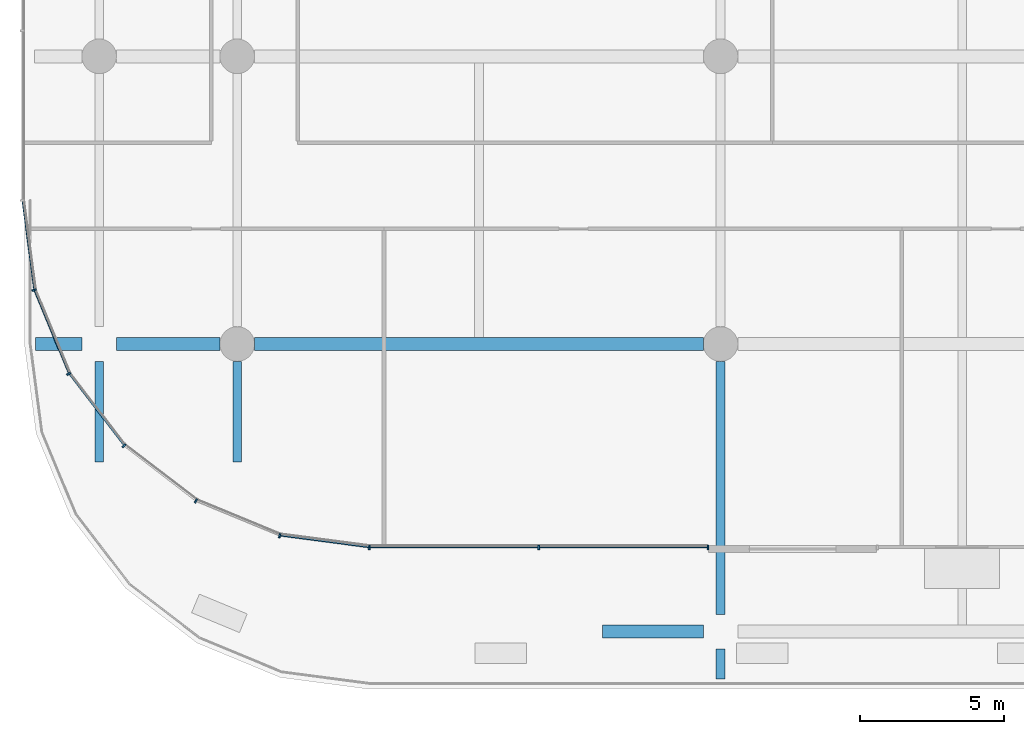
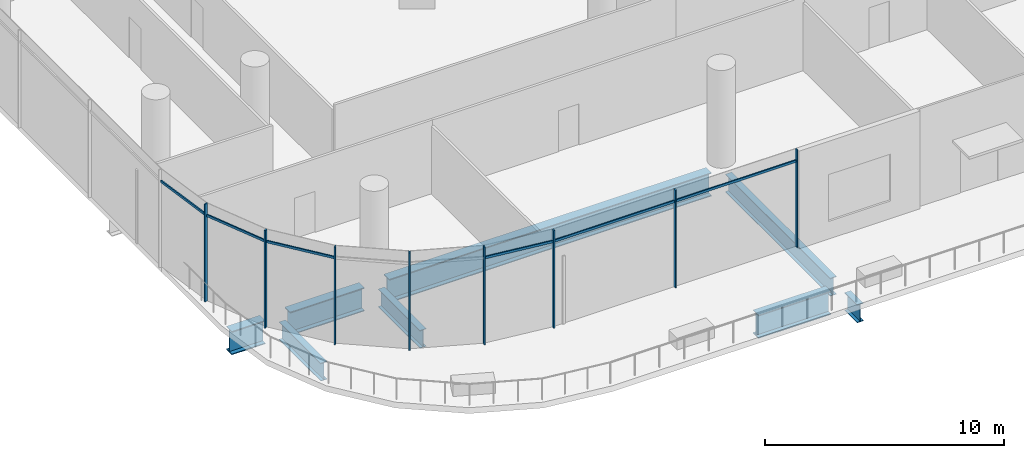
# One storey, part 2 of 51: 14 members, 8 beams, 1 element without a shape of its own.
"""IFC4 building model written with IfcOpenShell, lengths in metres."""

import ifcopenshell
import ifcopenshell.guid

model = None  # the IFC model being written
_history = None  # IfcOwnerHistory: only IFC2X3 demands one
_inside = {}  # id of a spatial element -> (the spatial element, [elements in it])
_under = {}  # id of a project, library or spatial element -> (it, [spatial elements below it])
_declared = {}  # id of a project -> (the project, [libraries it declares])
_typed = {}  # id of a type object -> (the type object, [elements of that type])
_made_of = {}  # id of a material, layer set ... -> (it, [elements and type objects made of it])


def new_model(schema):
    """Start an empty IFC model of exactly this schema.

    Asked for "IFC4X3", IfcOpenShell would pick the latest addendum, in which some entities
    have other attributes; the version numbers below select the first issue.
    IFC2X3 requires an IfcOwnerHistory on every rooted entity: one is made here for all.
    """
    global model, _history
    if schema == "IFC4X3":
        model = ifcopenshell.file(schema_version=(4, 3, 0, 0))
    else:
        model = ifcopenshell.file(schema=schema)
    _inside.clear()
    _under.clear()
    _declared.clear()
    _typed.clear()
    _made_of.clear()
    _history = None
    if model.schema == "IFC2X3":
        org = make("IfcOrganization", Name="unknown")
        user = make(
            "IfcPersonAndOrganization",
            ThePerson=make("IfcPerson", FamilyName="unknown"),
            TheOrganization=org,
        )
        app = make(
            "IfcApplication",
            ApplicationDeveloper=org,
            Version="unknown",
            ApplicationFullName="unknown",
            ApplicationIdentifier="unknown",
        )
        _history = make(
            "IfcOwnerHistory",
            OwningUser=user,
            OwningApplication=app,
            ChangeAction="ADDED",
            CreationDate=0,
        )
    return model


def make(cls, **values):
    """One entity of the class cls with the attributes given. An attribute that is None is left unset."""
    return model.create_entity(
        cls, **{name: value for name, value in values.items() if value is not None}
    )


def rooted(cls, **values):
    """An entity with a GlobalId (a new one), such as an element, a storey or a relation."""
    return make(cls, GlobalId=ifcopenshell.guid.new(), OwnerHistory=_history, **values)


def si_unit(unit_type, name, prefix=None):
    """IfcSIUnit, for example si_unit("LENGTHUNIT", "METRE", prefix="MILLI")."""
    return make("IfcSIUnit", UnitType=unit_type, Prefix=prefix, Name=name)


def assignment(units):
    """IfcUnitAssignment: the units of a project."""
    return None if units is None else make("IfcUnitAssignment", Units=units)


def point(xyz):
    """IfcCartesianPoint."""
    return None if xyz is None else make("IfcCartesianPoint", Coordinates=xyz)


def direction(xyz):
    """IfcDirection."""
    return None if xyz is None else make("IfcDirection", DirectionRatios=xyz)


def frame(location, z_axis=None, x_axis=None):
    """IfcAxis2Placement3D, a coordinate frame: its origin and axes. An axis left out is left unset."""
    return make(
        "IfcAxis2Placement3D",
        Location=point(location),
        Axis=direction(z_axis),
        RefDirection=direction(x_axis),
    )


def frame_2d(location, x_axis=None):
    """IfcAxis2Placement2D, a coordinate frame in the plane: its origin and x axis."""
    return make(
        "IfcAxis2Placement2D", Location=point(location), RefDirection=direction(x_axis)
    )


def origin():
    """The frame at (0, 0, 0) with its axes left unset."""
    return frame((0.0, 0.0, 0.0))


def origin_2d():
    """The frame at (0, 0) in the plane with its x axis left unset."""
    return frame_2d((0.0, 0.0))


def place(relative_to, where):
    """IfcLocalPlacement: puts the frame where relative to a parent placement (None: the world)."""
    return make(
        "IfcLocalPlacement", PlacementRelTo=relative_to, RelativePlacement=where
    )


def context(
    kind, dimensions, precision=None, world=None, true_north=None, identifier=None
):
    """IfcGeometricRepresentationContext, for example the 3D "Model" context."""
    return make(
        "IfcGeometricRepresentationContext",
        ContextIdentifier=identifier,
        ContextType=kind,
        CoordinateSpaceDimension=dimensions,
        Precision=precision,
        WorldCoordinateSystem=world,
        TrueNorth=true_north,
    )


def subcontext(parent, identifier, kind, view, scale=None):
    """IfcGeometricRepresentationSubContext, for example "Body" below "Model"."""
    return make(
        "IfcGeometricRepresentationSubContext",
        ContextIdentifier=identifier,
        ContextType=kind,
        ParentContext=parent,
        TargetScale=scale,
        TargetView=view,
    )


def project(units=None, contexts=None):
    """IfcProject with its units and contexts."""
    return rooted(
        "IfcProject",
        Name="project",
        RepresentationContexts=contexts,
        UnitsInContext=assignment(units),
    )


def spatial(cls, under=None, at=None, **own):
    """A site, building, storey or space (cls), placed at a placement, below another one or the project."""
    s = rooted(cls, ObjectPlacement=at, **own)
    if under is not None:
        _under.setdefault(under.id(), (under, []))[1].append(s)
    return s


def profile(cls, at=None, kind="AREA", **sizes):
    """A parametric profile (cls). Its sizes go by their IFC names, for example OverallWidth=200.0."""
    return make(cls, ProfileType=kind, Position=at, **sizes)


def rectangle(**sizes):
    """IfcRectangleProfileDef."""
    return profile("IfcRectangleProfileDef", **sizes)


def i_section(**sizes):
    """IfcIShapeProfileDef."""
    return profile("IfcIShapeProfileDef", **sizes)


def extrude(swept, where, along, depth):
    """IfcExtrudedAreaSolid: the profile swept, set in the frame where, extruded along a direction by depth."""
    return make(
        "IfcExtrudedAreaSolid",
        SweptArea=swept,
        Position=where,
        ExtrudedDirection=direction(along),
        Depth=depth,
    )


def shape(context_of_items, identifier, shape_type, items):
    """IfcShapeRepresentation: the items that make up one representation, for example the "Body"."""
    return make(
        "IfcShapeRepresentation",
        ContextOfItems=context_of_items,
        RepresentationIdentifier=identifier,
        RepresentationType=shape_type,
        Items=items,
    )


def material(Name=None, Category=None):
    """IfcMaterial."""
    return make("IfcMaterial", Name=Name, Category=Category)


def material_profile(
    of_material, cross_section, Name=None, Category=None, Priority=None
):
    """IfcMaterialProfile: a cross section and its material."""
    return make(
        "IfcMaterialProfile",
        Name=Name,
        Material=of_material,
        Profile=cross_section,
        Priority=Priority,
        Category=Category,
    )


def profile_set(profiles, Name=None, composite=None):
    """IfcMaterialProfileSet."""
    return make(
        "IfcMaterialProfileSet",
        Name=Name,
        MaterialProfiles=profiles,
        CompositeProfile=composite,
    )


def made_of(thing, what):
    """Note that an element or type object is made of a material, layer set ...; save() writes the relation."""
    if what is not None:
        _made_of.setdefault(what.id(), (what, []))[1].append(thing)
    return thing


def type_object(cls, material=None, **own):
    """A type object (cls), such as IfcWallType, which elements share."""
    return made_of(rooted(cls, **own), material)


def element(
    cls,
    number,
    at=None,
    inside=None,
    cuts=None,
    type_object=None,
    material=None,
    context=None,
    identifier="Body",
    shape_type=None,
    held_by="IfcProductDefinitionShape",
    body=None,
    shapes=None,
    **own,
):
    """One element of the class cls, such as IfcWall. Its Tag is "e" and its number.

    at: its placement. inside: the storey or other place that contains it. cuts: it is an
    opening in that element (IfcRelVoidsElement). A single representation is given by context,
    identifier, shape_type and body (its items); several are given by shapes. held_by: the class
    of the entity that holds the representations. save() writes the other relations.
    """
    e = rooted(cls, Tag="e%d" % number, ObjectPlacement=at, **own)
    if body is not None:
        shapes = [shape(context, identifier, shape_type, body)]
    if shapes is not None:
        e.Representation = make(held_by, Representations=shapes)
    if inside is not None:
        _inside.setdefault(inside.id(), (inside, []))[1].append(e)
    if cuts is not None:
        rooted(
            "IfcRelVoidsElement", RelatingBuildingElement=cuts, RelatedOpeningElement=e
        )
    if type_object is not None:
        _typed.setdefault(type_object.id(), (type_object, []))[1].append(e)
    return made_of(e, material)


def aggregate(whole, parts):
    """IfcRelAggregates: a whole, such as a stair, and the parts it consists of."""
    return rooted("IfcRelAggregates", RelatingObject=whole, RelatedObjects=parts)


def save(model, path):
    """Write the relations noted so far, then the file.

    IfcRelAggregates (storeys below a building ...), IfcRelContainedInSpatialStructure (elements
    in a storey), IfcRelDefinesByType, IfcRelAssociatesMaterial and IfcRelDeclares: one each for
    every whole, place, type object, material and project.
    """
    for whole, parts in _under.values():
        aggregate(whole, parts)
    for where, things in _inside.values():
        rooted(
            "IfcRelContainedInSpatialStructure",
            RelatedElements=things,
            RelatingStructure=where,
        )
    for kind, things in _typed.values():
        rooted("IfcRelDefinesByType", RelatedObjects=things, RelatingType=kind)
    for what, things in _made_of.values():
        rooted("IfcRelAssociatesMaterial", RelatedObjects=things, RelatingMaterial=what)
    for by, libraries in _declared.values():
        rooted("IfcRelDeclares", RelatingContext=by, RelatedDefinitions=libraries)
    model.write(path)


model = new_model("IFC4")

# Units and contexts
model_context = context("Model", 3, precision=1e-05, world=origin(), true_north=direction((0.0, 1.0)))
body_context = subcontext(model_context, "Body", "Model", "MODEL_VIEW")
ifc_project = project(units=[si_unit("LENGTHUNIT", "METRE"), si_unit("AREAUNIT", "SQUARE_METRE"), si_unit("VOLUMEUNIT", "CUBIC_METRE"), si_unit("PLANEANGLEUNIT", "RADIAN"), si_unit("MASSUNIT", "GRAM", prefix="KILO")], contexts=[model_context])

# Site, building, storey
site_placement = place(None, origin())
site = spatial("IfcSite", under=ifc_project, at=site_placement, CompositionType="ELEMENT")
building_placement = place(site_placement, origin())
building = spatial("IfcBuilding", under=site, at=building_placement, Name="Rimbun Link Towers", CompositionType="ELEMENT")
storey_placement = place(building_placement, frame((0.0, 0.0, 7.0)))
storey = spatial("IfcBuildingStorey", under=building, at=storey_placement, Name="L01", CompositionType="ELEMENT", Elevation=7.0)

# Curtain wall, members
ifc_material_1 = material(Name="Aluminium 6063-T6 and low-iron glass", Category="aluminium")
curtain_wall_type = type_object("IfcCurtainWallType", Name="CW3 podium shopfront", PredefinedType="NOTDEFINED", material=ifc_material_1)
curtain_wall_placement = place(storey_placement, origin())
curtain_wall = element("IfcCurtainWall", 1, at=curtain_wall_placement, inside=storey, type_object=curtain_wall_type, Name="CW3 L01 PD", PredefinedType="NOTDEFINED")
ifc_material_2 = material(Name="Aluminium 6063-T6", Category="aluminium")
ifc_material_profile_1 = material_profile(ifc_material_2, rectangle(XDim=0.14990234375, YDim=0.06005859375, at=origin_2d()), Name="MULLION 60X150")
ifc_profile_set_1 = profile_set([ifc_material_profile_1], Name="Aluminium 6063-T6")
member_type_1 = type_object("IfcMemberType", Name="CW3 mullion 60X150", PredefinedType="MULLION", material=ifc_profile_set_1)
member_1_placement = place(storey_placement, frame((-61.66357421875, -34.125244140625, 0.0), z_axis=(0.0, 0.0, 1.0), x_axis=(-0.965925910978, -0.258818729038, 0.0)))
member_1 = element("IfcMember", 2, at=member_1_placement, type_object=member_type_1, Name="CW3 mullion", PredefinedType="MULLION", context=body_context, shape_type="SweptSolid", body=[
    extrude(rectangle(XDim=0.14990234375, YDim=0.06005859375, at=origin_2d()), origin(), (0.0, 0.0, 1.0), 5.0),
])
member_2_placement = place(storey_placement, frame((-60.457275390625, -37.03759765625, 0.0), z_axis=(0.0, 0.0, 1.0), x_axis=(-0.866029040155, -0.499993701568, 0.0)))
member_2 = element("IfcMember", 3, at=member_2_placement, type_object=member_type_1, Name="CW3 mullion", PredefinedType="MULLION", context=body_context, shape_type="SweptSolid", body=[
    extrude(rectangle(XDim=0.14990234375, YDim=0.06005859375, at=origin_2d()), origin(), (0.0, 0.0, 1.0), 5.0),
])
member_3_placement = place(storey_placement, frame((-58.538330078125, -39.538330078125, 0.0), z_axis=(0.0, 0.0, 1.0), x_axis=(-0.707106781187, -0.707106781187, 0.0)))
member_3 = element("IfcMember", 4, at=member_3_placement, type_object=member_type_1, Name="CW3 mullion", PredefinedType="MULLION", context=body_context, shape_type="SweptSolid", body=[
    extrude(rectangle(XDim=0.14990234375, YDim=0.06005859375, at=origin_2d()), origin(), (0.0, 0.0, 1.0), 5.0),
])
member_4_placement = place(storey_placement, frame((-56.03759765625, -41.457275390625, 0.0), z_axis=(0.0, 0.0, 1.0), x_axis=(-0.499993701568, -0.866029040155, 0.0)))
member_4 = element("IfcMember", 5, at=member_4_placement, type_object=member_type_1, Name="CW3 mullion", PredefinedType="MULLION", context=body_context, shape_type="SweptSolid", body=[
    extrude(rectangle(XDim=0.14990234375, YDim=0.06005859375, at=origin_2d()), origin(), (0.0, 0.0, 1.0), 5.0),
])
member_5_placement = place(storey_placement, frame((-53.125244140625, -42.66357421875, 0.0), z_axis=(0.0, 0.0, 1.0), x_axis=(-0.258818729038, -0.965925910978, 0.0)))
member_5 = element("IfcMember", 6, at=member_5_placement, type_object=member_type_1, Name="CW3 mullion", PredefinedType="MULLION", context=body_context, shape_type="SweptSolid", body=[
    extrude(rectangle(XDim=0.14990234375, YDim=0.06005859375, at=origin_2d()), origin(), (0.0, 0.0, 1.0), 5.0),
])
member_6_placement = place(storey_placement, frame((-50.0048828125, -43.074951171875, 0.0), z_axis=(0.0, 0.0, 1.0), x_axis=(-0.065405288299, -0.997858781723, 0.0)))
member_6 = element("IfcMember", 7, at=member_6_placement, type_object=member_type_1, Name="CW3 mullion", PredefinedType="MULLION", context=body_context, shape_type="SweptSolid", body=[
    extrude(rectangle(XDim=0.14990234375, YDim=0.06005859375, at=origin_2d()), origin(), (0.0, 0.0, 1.0), 5.0),
])
member_7_placement = place(storey_placement, frame((-44.11767578125, -43.074951171875, 0.0), z_axis=(0.0, 0.0, 1.0), x_axis=(0.0, -1.0, 0.0)))
member_7 = element("IfcMember", 8, at=member_7_placement, type_object=member_type_1, Name="CW3 mullion", PredefinedType="MULLION", context=body_context, shape_type="SweptSolid", body=[
    extrude(rectangle(XDim=0.14990234375, YDim=0.06005859375, at=origin_2d()), origin(), (0.0, 0.0, 1.0), 5.0),
])
member_8_placement = place(storey_placement, frame((-38.2353515625, -43.074951171875, 0.0), z_axis=(0.0, 0.0, 1.0), x_axis=(0.0, -1.0, 0.0)))
member_8 = element("IfcMember", 9, at=member_8_placement, type_object=member_type_1, Name="CW3 mullion", PredefinedType="MULLION", context=body_context, shape_type="SweptSolid", body=[
    extrude(rectangle(XDim=0.14990234375, YDim=0.06005859375, at=origin_2d()), origin(), (0.0, 0.0, 1.0), 5.0),
])
ifc_material_3 = material(Name="Aluminium 6063-T6", Category="aluminium")
ifc_material_profile_2 = material_profile(ifc_material_3, rectangle(XDim=0.06005859375, YDim=0.1201171875, at=origin_2d()), Name="TRANSOM 60X120")
ifc_profile_set_2 = profile_set([ifc_material_profile_2], Name="Aluminium 6063-T6")
member_type_2 = type_object("IfcMemberType", Name="CW3 transom 60X120", PredefinedType="USERDEFINED", material=ifc_profile_set_2)
member_9_placement = place(storey_placement, frame((-61.6484375, -34.0830078125, 4.39990234375), z_axis=(-0.130555231638, 0.991441037829, 0.0), x_axis=(-0.991441037829, -0.130555231638, 0.0)))
member_9 = element("IfcMember", 10, at=member_9_placement, type_object=member_type_2, Name="CW3 transom", ObjectType="TRANSOM", PredefinedType="USERDEFINED", context=body_context, shape_type="SweptSolid", body=[
    extrude(rectangle(XDim=0.06005859375, YDim=0.1201171875, at=origin_2d()), origin(), (0.0, 0.0, 1.0), 3.072509765625),
])
member_10_placement = place(storey_placement, frame((-60.45361328125, -36.992919921875, 4.39990234375), z_axis=(-0.382679289053, 0.923881248716, 0.0), x_axis=(-0.923881248716, -0.382679289053, 0.0)))
member_10 = element("IfcMember", 11, at=member_10_placement, type_object=member_type_2, Name="CW3 transom", ObjectType="TRANSOM", PredefinedType="USERDEFINED", context=body_context, shape_type="SweptSolid", body=[
    extrude(rectangle(XDim=0.06005859375, YDim=0.1201171875, at=origin_2d()), origin(), (0.0, 0.0, 1.0), 3.072509765625),
])
member_11_placement = place(storey_placement, frame((-58.54638671875, -39.494384765625, 4.39990234375), z_axis=(-0.608773432314, 0.793344129687, 0.0), x_axis=(-0.793344129687, -0.608773432314, 0.0)))
member_11 = element("IfcMember", 12, at=member_11_placement, type_object=member_type_2, Name="CW3 transom", ObjectType="TRANSOM", PredefinedType="USERDEFINED", context=body_context, shape_type="SweptSolid", body=[
    extrude(rectangle(XDim=0.06005859375, YDim=0.1201171875, at=origin_2d()), origin(), (0.0, 0.0, 1.0), 3.07275390625),
])
member_12_placement = place(storey_placement, frame((-50.036865234375, -43.049560546875, 4.39990234375), z_axis=(-0.991441037829, 0.130555231638, 0.0), x_axis=(-0.130555231638, -0.991441037829, 0.0)))
member_12 = element("IfcMember", 13, at=member_12_placement, type_object=member_type_2, Name="CW3 transom", ObjectType="TRANSOM", PredefinedType="USERDEFINED", context=body_context, shape_type="SweptSolid", body=[
    extrude(rectangle(XDim=0.06005859375, YDim=0.1201171875, at=origin_2d()), origin(), (0.0, 0.0, 1.0), 3.072509765625),
])
member_13_placement = place(storey_placement, frame((-44.147705078125, -43.053955078125, 4.39990234375), z_axis=(-1.0, 0.0, 0.0), x_axis=(0.0, -1.0, 0.0)))
member_13 = element("IfcMember", 14, at=member_13_placement, type_object=member_type_2, Name="CW3 transom", ObjectType="TRANSOM", PredefinedType="USERDEFINED", context=body_context, shape_type="SweptSolid", body=[
    extrude(rectangle(XDim=0.06005859375, YDim=0.1201171875, at=origin_2d()), origin(), (0.0, 0.0, 1.0), 5.822265625),
])
member_14_placement = place(storey_placement, frame((-38.265380859375, -43.053955078125, 4.39990234375), z_axis=(-1.0, 0.0, 0.0), x_axis=(0.0, -1.0, 0.0)))
member_14 = element("IfcMember", 15, at=member_14_placement, type_object=member_type_2, Name="CW3 transom", ObjectType="TRANSOM", PredefinedType="USERDEFINED", context=body_context, shape_type="SweptSolid", body=[
    extrude(rectangle(XDim=0.06005859375, YDim=0.1201171875, at=origin_2d()), origin(), (0.0, 0.0, 1.0), 5.822265625),
])
aggregate(curtain_wall, [member_1, member_2, member_3, member_4, member_5, member_6, member_7, member_8, member_9, member_10, member_11, member_12, member_13, member_14])

# Beams
ifc_material_4 = material(Name="Steel S355J2", Category="steel")
ifc_material_profile_3 = material_profile(ifc_material_4, i_section(OverallWidth=0.449951171875, OverallDepth=1.199951171875, WebThickness=0.030029296875, FlangeThickness=0.044921875, at=origin_2d()), Name="PG 1200x450x30/45")
ifc_profile_set_3 = profile_set([ifc_material_profile_3], Name="Steel S355J2")
beam_type_1 = type_object("IfcBeamType", Name="PG 1200x450x30/45", PredefinedType="BEAM", material=ifc_profile_set_3)
beam_1_placement = place(storey_placement, frame((-41.89990234375, -46.0, -0.89990234375), z_axis=(1.0, 0.0, 0.0), x_axis=(0.0, 1.0, 0.0)))
element("IfcBeam", 16, at=beam_1_placement, inside=storey, type_object=beam_type_1, Name="Grid beam L01 -46.0", PredefinedType="BEAM", context=body_context, shape_type="SweptSolid", body=[
    extrude(i_section(OverallWidth=0.449951171875, OverallDepth=1.199951171875, WebThickness=0.030029296875, FlangeThickness=0.044921875, at=origin_2d()), origin(), (0.0, 0.0, 1.0), 3.5),
])
beam_2_placement = place(storey_placement, frame((-61.616455078125, -36.0, -0.89990234375), z_axis=(1.0, 0.0, 0.0), x_axis=(0.0, 1.0, 0.0)))
element("IfcBeam", 17, at=beam_2_placement, inside=storey, type_object=beam_type_1, Name="Grid beam L01 -36.0", PredefinedType="BEAM", context=body_context, shape_type="SweptSolid", body=[
    extrude(i_section(OverallWidth=0.449951171875, OverallDepth=1.199951171875, WebThickness=0.030029296875, FlangeThickness=0.044921875, at=origin_2d()), origin(), (0.0, 0.0, 1.0), 1.616455078125),
])
beam_3_placement = place(storey_placement, frame((-58.800048828125, -36.0, -0.89990234375), z_axis=(1.0, 0.0, 0.0), x_axis=(0.0, 1.0, 0.0)))
element("IfcBeam", 18, at=beam_3_placement, inside=storey, type_object=beam_type_1, Name="Grid beam L01 -36.0", PredefinedType="BEAM", context=body_context, shape_type="SweptSolid", body=[
    extrude(i_section(OverallWidth=0.449951171875, OverallDepth=1.199951171875, WebThickness=0.030029296875, FlangeThickness=0.044921875, at=origin_2d()), origin(), (0.0, 0.0, 1.0), 3.60009765625),
])
beam_4_placement = place(storey_placement, frame((-54.0, -36.0, -0.89990234375), z_axis=(1.0, 0.0, 0.0), x_axis=(0.0, 1.0, 0.0)))
element("IfcBeam", 19, at=beam_4_placement, inside=storey, type_object=beam_type_1, Name="Grid beam L01 -36.0", PredefinedType="BEAM", context=body_context, shape_type="SweptSolid", body=[
    extrude(i_section(OverallWidth=0.449951171875, OverallDepth=1.199951171875, WebThickness=0.030029296875, FlangeThickness=0.044921875, at=origin_2d()), origin(), (0.0, 0.0, 1.0), 15.60009765625),
])
ifc_material_5 = material(Name="Steel S355J2", Category="steel")
ifc_material_profile_4 = material_profile(ifc_material_5, i_section(OverallWidth=0.305419921875, OverallDepth=0.91845703125, WebThickness=0.017333984375, FlangeThickness=0.02783203125, at=origin_2d()), Name="UB 914x305x253")
ifc_profile_set_4 = profile_set([ifc_material_profile_4], Name="Steel S355J2")
beam_type_2 = type_object("IfcBeamType", Name="UB 914x305x253", PredefinedType="BEAM", material=ifc_profile_set_4)
for number, where, z_axis, x_axis, name in (
    (20, (-59.39990234375, -40.10009765625, -0.75927734375), (0.0, 1.0, 0.0), (-1.0, 0.0, 0.0), "Grid beam L01 -59.4"),
    (21, (-54.60009765625, -40.10009765625, -0.75927734375), (0.0, 1.0, 0.0), (-1.0, 0.0, 0.0), "Grid beam L01 -54.6"),
):
    element("IfcBeam", number, at=place(storey_placement, frame(where, z_axis=z_axis, x_axis=x_axis)), inside=storey, type_object=beam_type_2, Name=name, PredefinedType="BEAM", context=body_context, shape_type="SweptSolid", body=[
        extrude(i_section(OverallWidth=0.305419921875, OverallDepth=0.91845703125, WebThickness=0.017333984375, FlangeThickness=0.02783203125, at=origin_2d()), origin(), (0.0, 0.0, 1.0), 3.5),
    ])
beam_5_placement = place(storey_placement, frame((-37.800048828125, -47.649169921875, -0.75927734375), z_axis=(0.0, 1.0, 0.0), x_axis=(-1.0, 0.0, 0.0)))
element("IfcBeam", 22, at=beam_5_placement, inside=storey, type_object=beam_type_2, Name="Grid beam L01 -37.8", PredefinedType="BEAM", context=body_context, shape_type="SweptSolid", body=[
    extrude(i_section(OverallWidth=0.305419921875, OverallDepth=0.91845703125, WebThickness=0.017333984375, FlangeThickness=0.02783203125, at=origin_2d()), origin(), (0.0, 0.0, 1.0), 1.049072265625),
])
beam_6_placement = place(storey_placement, frame((-37.800048828125, -45.39990234375, -0.75927734375), z_axis=(0.0, 1.0, 0.0), x_axis=(-1.0, 0.0, 0.0)))
element("IfcBeam", 23, at=beam_6_placement, inside=storey, type_object=beam_type_2, Name="Grid beam L01 -37.8", PredefinedType="BEAM", context=body_context, shape_type="SweptSolid", body=[
    extrude(i_section(OverallWidth=0.305419921875, OverallDepth=0.91845703125, WebThickness=0.017333984375, FlangeThickness=0.02783203125, at=origin_2d()), origin(), (0.0, 0.0, 1.0), 8.7998046875),
])

save(model, "model.ifc")
